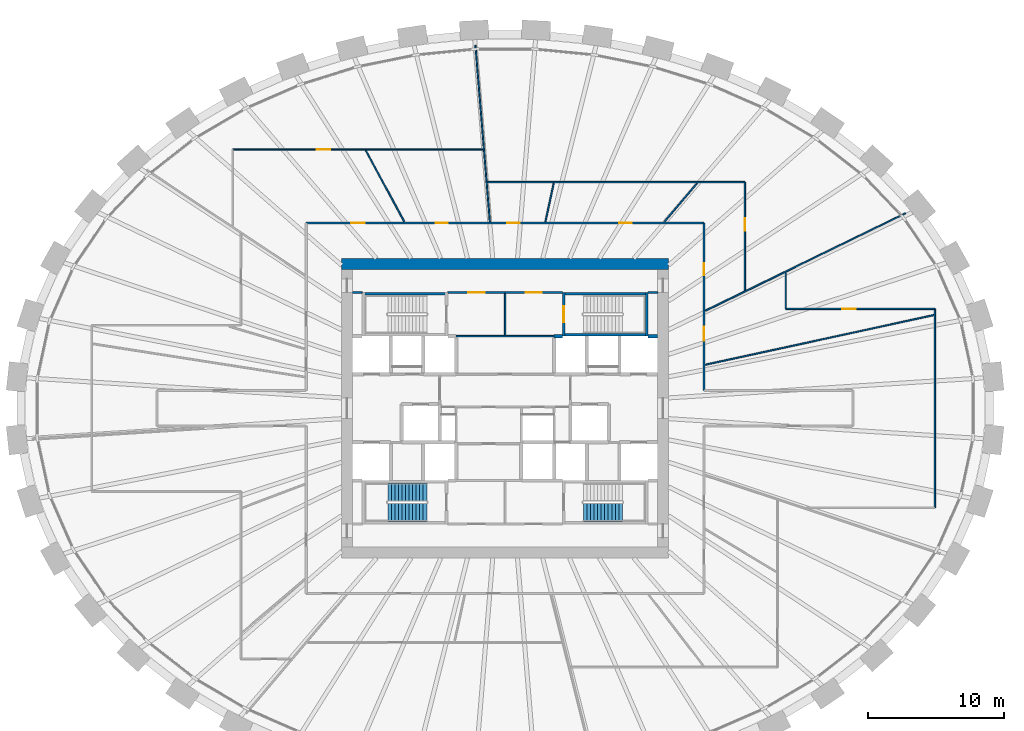
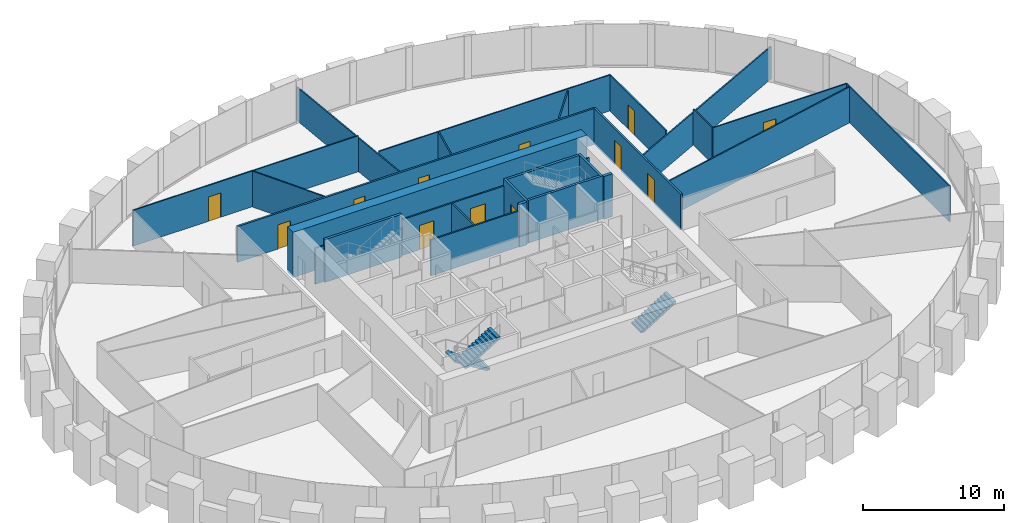
# One storey, part 9 of 11: 27 walls, 12 doors, 3 stair flights, 12 openings, 2 elements without a shape of their own.
"""IFC4 building model written with IfcOpenShell, lengths in metres."""

from ifc_helpers import new_model, si_unit, direction, frame, frame_2d, origin, place, context, subcontext, project, spatial, polyline, rectangle, outline, extrude, source, transform, mapped, material, layer, layer_set, type_object, element, fill, aggregate, save


model = new_model("IFC4")

# Units and contexts
model_context = context("Model", 3, precision=1e-05, world=origin(), true_north=direction((0.0, 1.0)))
body_context = subcontext(model_context, "Body", "Model", "MODEL_VIEW")
ifc_project = project(units=[si_unit("LENGTHUNIT", "METRE"), si_unit("AREAUNIT", "SQUARE_METRE"), si_unit("VOLUMEUNIT", "CUBIC_METRE"), si_unit("PLANEANGLEUNIT", "RADIAN"), si_unit("MASSUNIT", "GRAM", prefix="KILO")], contexts=[model_context])

# Site, building, storey
site_placement = place(None, origin())
site = spatial("IfcSite", under=ifc_project, at=site_placement, CompositionType="ELEMENT")
building_placement = place(site_placement, origin())
building = spatial("IfcBuilding", under=site, at=building_placement, Name="Embergate Tower", CompositionType="ELEMENT")
storey_placement = place(building_placement, frame((0.0, 0.0, 207.300048828125)))
storey = spatial("IfcBuildingStorey", under=building, at=storey_placement, Name="L47", CompositionType="ELEMENT", Elevation=207.300048828125)

# Walls
ifc_material_1 = material(Name="Concrete C70", Category="concrete")
ifc_layer_1 = layer(ifc_material_1, 0.800048828125)
ifc_layer_set_1 = layer_set([ifc_layer_1], Name="Concrete C70")
wall_type_1 = type_object("IfcWallType", Name="Core outer wall C70 800", PredefinedType="SHEAR", material=ifc_layer_set_1)
shared_shape_1 = source(origin(), body_context, "Body", "SweptSolid", [
    extrude(rectangle(XDim=24.0, YDim=0.800048828125, at=frame_2d((12.0, 0.0))), origin(), (0.0, 0.0, 1.0), 3.89990234375),
])
wall_1_placement = place(storey_placement, frame((-12.0, 10.60009765625, -0.199951171875), z_axis=(0.0, 0.0, 1.0), x_axis=(1.0, 0.0, 0.0)))
element("IfcWall", 1, at=wall_1_placement, inside=storey, type_object=wall_type_1, Name="CW-L47-N", PredefinedType="SHEAR", context=body_context, shape_type="MappedRepresentation", body=[
    mapped(shared_shape_1, transform((0.0, 0.0, 0.0))),
])
ifc_material_2 = material(Name="Concrete C50", Category="concrete")
ifc_layer_2 = layer(ifc_material_2, 0.199951171875)
ifc_layer_set_2 = layer_set([ifc_layer_2], Name="Concrete C50")
wall_type_2 = type_object("IfcWallType", Name="Stair enclosure wall reinforced concrete 250", PredefinedType="SHEAR", material=ifc_layer_set_2)
shared_shape_2 = source(origin(), body_context, "Body", "SweptSolid", [
    extrude(rectangle(XDim=6.300048828125, YDim=0.199951171875, at=frame_2d((3.14990234375, 0.0))), origin(), (0.0, 0.0, 1.0), 3.699951171875),
])
for number, where, z_axis, x_axis, name in (
    (2, (10.5, 5.39990234375, 0.0), (0.0, 0.0, 1.0), (-1.0, 0.0, 0.0), "SE-1 wall"),
    (3, (-4.199951171875, 8.39990234375, 0.0), (0.0, 0.0, 1.0), (-1.0, 0.0, 0.0), "SE-1 wall"),
    (4, (10.5, 8.39990234375, 0.0), (0.0, 0.0, 1.0), (-1.0, 0.0, 0.0), "SE-1 wall"),
):
    element("IfcWall", number, at=place(storey_placement, frame(where, z_axis=z_axis, x_axis=x_axis)), inside=storey, type_object=wall_type_2, Name=name, PredefinedType="SHEAR", context=body_context, shape_type="MappedRepresentation", body=[
        mapped(shared_shape_2, transform((0.0, 0.0, 0.0))),
    ])

# Wall, opening, door
shared_shape_3 = source(origin(), body_context, "Body", "SweptSolid", [
    extrude(rectangle(XDim=3.199951171875, YDim=0.199951171875, at=frame_2d((1.60009765625, 0.0))), origin(), (0.0, 0.0, 1.0), 3.699951171875),
])
wall_2_placement = place(storey_placement, frame((4.300048828125, 8.5, 0.0), z_axis=(0.0, 0.0, 1.0), x_axis=(0.0, -1.0, 0.0)))
wall_2 = element("IfcWall", 5, at=wall_2_placement, inside=storey, type_object=wall_type_2, Name="SE-1 wall", PredefinedType="SHEAR", context=body_context, shape_type="MappedRepresentation", body=[
    mapped(shared_shape_3, transform((0.0, 0.0, 0.0))),
])
shared_shape_4 = source(origin(), body_context, "Body", "SweptSolid", [
    extrude(rectangle(XDim=1.199951171875, YDim=2.10009765625, at=frame_2d((0.60009765625, 1.050048828125))), frame((0.0, 0.10986328125, 0.0), z_axis=(0.0, -1.0, 0.0), x_axis=(1.0, 0.0, 0.0)), (0.0, 0.0, 1.0), 0.219970703125),
])
opening_1_placement = place(wall_2_placement, frame((1.0, 0.0, 0.0)))
opening_1 = element("IfcOpeningElement", 6, at=opening_1_placement, cuts=wall_2, Name="Opening IF-2", PredefinedType="OPENING", context=body_context, shape_type="MappedRepresentation", body=[
    mapped(shared_shape_4, transform((0.0, 0.0, 0.0))),
])
ifc_material_3 = material(Name="Stair enclosure door 1200")
door_type_1 = type_object("IfcDoorType", Name="Stair enclosure door 1200", OperationType="SINGLE_SWING_LEFT", PredefinedType="DOOR", material=ifc_material_3)
shared_shape_5 = source(origin(), body_context, "Body", "SweptSolid", [
    extrude(rectangle(XDim=1.199951171875, YDim=2.10009765625, at=frame_2d((0.60009765625, 1.050048828125))), frame((0.0, 0.02490234375, 0.0), z_axis=(0.0, -1.0, 0.0), x_axis=(1.0, 0.0, 0.0)), (0.0, 0.0, 1.0), 0.050048828125),
])
door_1_placement = place(opening_1_placement, origin())
door_1 = element("IfcDoor", 7, at=door_1_placement, inside=storey, type_object=door_type_1, Name="IF-2 door", OperationType="SINGLE_SWING_LEFT", OverallHeight=2.10009765625, OverallWidth=1.199951171875, PredefinedType="DOOR", context=body_context, shape_type="MappedRepresentation", body=[
    mapped(shared_shape_5, transform((0.0, 0.0, 0.0))),
])
fill(opening_1, door_1)

# Wall, openings, doors
ifc_material_4 = material(Name="Core partition blockwork 120")
ifc_layer_3 = layer(ifc_material_4, 0.1201171875)
ifc_layer_set_3 = layer_set([ifc_layer_3], Name="Core partition blockwork 120")
wall_type_3 = type_object("IfcWallType", Name="Core partition blockwork 120", PredefinedType="PARTITIONING", material=ifc_layer_set_3)
shared_shape_6 = source(origin(), body_context, "Body", "SweptSolid", [
    extrude(rectangle(XDim=8.39990234375, YDim=0.1201171875, at=frame_2d((4.199951171875, 0.0))), origin(), (0.0, 0.0, 1.0), 3.099853515625),
])
wall_3_placement = place(storey_placement, frame((4.199951171875, 8.5, 0.0), z_axis=(0.0, 0.0, 1.0), x_axis=(-1.0, 0.0, 0.0)))
wall_3 = element("IfcWall", 8, at=wall_3_placement, inside=storey, type_object=wall_type_3, Name="IP-3 wall", PredefinedType="PARTITIONING", context=body_context, shape_type="MappedRepresentation", body=[
    mapped(shared_shape_6, transform((0.0, 0.0, 0.0))),
])
shared_shape_7 = source(origin(), body_context, "Body", "SweptSolid", [
    extrude(rectangle(XDim=1.199951171875, YDim=2.10009765625, at=frame_2d((0.60009765625, 1.050048828125))), frame((0.0, 0.070068359375, 0.0), z_axis=(0.0, -1.0, 0.0), x_axis=(1.0, 0.0, 0.0)), (0.0, 0.0, 1.0), 0.14013671875),
])
opening_2_placement = place(wall_3_placement, frame((5.699951171875, 0.0, 0.0)))
opening_2 = element("IfcOpeningElement", 9, at=opening_2_placement, cuts=wall_3, Name="Opening IF-3f", PredefinedType="OPENING", context=body_context, shape_type="MappedRepresentation", body=[
    mapped(shared_shape_7, transform((0.0, 0.0, 0.0))),
])
opening_3_placement = place(wall_3_placement, frame((1.5, 0.0, 0.0)))
opening_3 = element("IfcOpeningElement", 10, at=opening_3_placement, cuts=wall_3, Name="Opening IF-3f", PredefinedType="OPENING", context=body_context, shape_type="MappedRepresentation", body=[
    mapped(shared_shape_7, transform((0.0, 0.0, 0.0))),
])
ifc_material_5 = material(Name="Lobby fire door pair 1200")
door_type_2 = type_object("IfcDoorType", Name="Lobby fire door pair 1200", OperationType="DOUBLE_DOOR_SINGLE_SWING", PredefinedType="DOOR", material=ifc_material_5)
door_2_placement = place(opening_2_placement, origin())
door_2 = element("IfcDoor", 11, at=door_2_placement, inside=storey, type_object=door_type_2, Name="IF-3 door", OperationType="DOUBLE_DOOR_SINGLE_SWING", OverallHeight=2.10009765625, OverallWidth=1.199951171875, PredefinedType="DOOR", context=body_context, shape_type="MappedRepresentation", body=[
    mapped(shared_shape_5, transform((0.0, 0.0, 0.0))),
])
fill(opening_2, door_2)
door_3_placement = place(opening_3_placement, origin())
door_3 = element("IfcDoor", 12, at=door_3_placement, inside=storey, type_object=door_type_2, Name="IF-3 door", OperationType="DOUBLE_DOOR_SINGLE_SWING", OverallHeight=2.10009765625, OverallWidth=1.199951171875, PredefinedType="DOOR", context=body_context, shape_type="MappedRepresentation", body=[
    mapped(shared_shape_5, transform((0.0, 0.0, 0.0))),
])
fill(opening_3, door_3)

# Walls
ifc_layer_4 = layer(ifc_material_2, 0.25)
ifc_layer_set_4 = layer_set([ifc_layer_4], Name="Concrete C50")
wall_type_4 = type_object("IfcWallType", Name="Hoistway wall reinforced concrete 250", PredefinedType="SHEAR", material=ifc_layer_set_4)
shared_shape_8 = source(origin(), body_context, "Body", "SweptSolid", [
    extrude(rectangle(XDim=0.599853515625, YDim=0.25, at=frame_2d((0.2998046875, 0.0))), origin(), (0.0, 0.0, 1.0), 3.699951171875),
])
wall_4_placement = place(storey_placement, frame((4.199951171875, 5.300048828125, 0.0), z_axis=(0.0, 0.0, 1.0), x_axis=(-1.0, 0.0, 0.0)))
element("IfcWall", 13, at=wall_4_placement, inside=storey, type_object=wall_type_4, Name="HW-1 wall", PredefinedType="SHEAR", context=body_context, shape_type="MappedRepresentation", body=[
    mapped(shared_shape_8, transform((0.0, 0.0, 0.0))),
])
shared_shape_9 = source(origin(), body_context, "Body", "SweptSolid", [
    extrude(rectangle(XDim=3.196044921875, YDim=0.199951171875, at=frame_2d((1.59814453125, 0.0))), origin(), (0.0, 0.0, 1.0), 3.699951171875),
])
wall_5_placement = place(storey_placement, frame((10.39990234375, 5.302001953125, 0.0), z_axis=(0.0, 0.0, 1.0), x_axis=(0.0, 1.0, 0.0)))
element("IfcWall", 14, at=wall_5_placement, inside=storey, type_object=wall_type_2, Name="SE-1 wall", PredefinedType="SHEAR", context=body_context, shape_type="MappedRepresentation", body=[
    mapped(shared_shape_9, transform((0.0, 0.0, 0.0))),
])
shared_shape_10 = source(origin(), body_context, "Body", "SweptSolid", [
    extrude(rectangle(XDim=0.697998046875, YDim=0.25, at=frame_2d((0.34912109375, 0.0))), origin(), (0.0, 0.0, 1.0), 3.699951171875),
])
wall_6_placement = place(storey_placement, frame((11.199951171875, 5.300048828125, 0.0), z_axis=(0.0, 0.0, 1.0), x_axis=(-1.0, 0.0, 0.0)))
element("IfcWall", 15, at=wall_6_placement, inside=storey, type_object=wall_type_4, Name="HW-1 wall", PredefinedType="SHEAR", context=body_context, shape_type="MappedRepresentation", body=[
    mapped(shared_shape_10, transform((0.0, 0.0, 0.0))),
])
shared_shape_11 = source(origin(), body_context, "Body", "SweptSolid", [
    extrude(rectangle(XDim=7.2001953125, YDim=0.1201171875, at=frame_2d((3.60009765625, 0.0))), origin(), (0.0, 0.0, 1.0), 3.099853515625),
])
wall_7_placement = place(storey_placement, frame((-3.60009765625, 5.300048828125, 0.0), z_axis=(0.0, 0.0, 1.0), x_axis=(1.0, 0.0, 0.0)))
element("IfcWall", 16, at=wall_7_placement, inside=storey, type_object=wall_type_3, Name="IP-3 wall", PredefinedType="PARTITIONING", context=body_context, shape_type="MappedRepresentation", body=[
    mapped(shared_shape_11, transform((0.0, 0.0, 0.0))),
])
shared_shape_12 = source(origin(), body_context, "Body", "SweptSolid", [
    extrude(rectangle(XDim=3.079833984375, YDim=0.1201171875, at=frame_2d((1.5400390625, 0.0))), origin(), (0.0, 0.0, 1.0), 3.099853515625),
])
wall_8_placement = place(storey_placement, frame((0.0, 5.360107421875, 0.0), z_axis=(0.0, 0.0, 1.0), x_axis=(0.0, 1.0, 0.0)))
element("IfcWall", 17, at=wall_8_placement, inside=storey, type_object=wall_type_3, Name="IP-3 wall", PredefinedType="PARTITIONING", context=body_context, shape_type="MappedRepresentation", body=[
    mapped(shared_shape_12, transform((0.0, 0.0, 0.0))),
])
shared_shape_13 = source(origin(), body_context, "Body", "SweptSolid", [
    extrude(rectangle(XDim=0.697998046875, YDim=0.1201171875, at=frame_2d((0.34912109375, 0.0))), origin(), (0.0, 0.0, 1.0), 3.099853515625),
])
for number, where, z_axis, x_axis, name in (
    (18, (10.501953125, 8.5, 0.0), (0.0, 0.0, 1.0), (1.0, 0.0, 0.0), "IP-3 wall"),
    (19, (-11.199951171875, 8.5, 0.0), (0.0, 0.0, 1.0), (1.0, 0.0, 0.0), "IP-3 wall"),
):
    element("IfcWall", number, at=place(storey_placement, frame(where, z_axis=z_axis, x_axis=x_axis)), inside=storey, type_object=wall_type_3, Name=name, PredefinedType="PARTITIONING", context=body_context, shape_type="MappedRepresentation", body=[
        mapped(shared_shape_13, transform((0.0, 0.0, 0.0))),
    ])

# Wall, opening, door
ifc_material_6 = material(Name="Partition dry-lined 100")
ifc_layer_5 = layer(ifc_material_6, 0.10009765625)
ifc_layer_set_5 = layer_set([ifc_layer_5], Name="Partition dry-lined 100")
wall_type_5 = type_object("IfcWallType", Name="Partition dry-lined 100", PredefinedType="PARTITIONING", material=ifc_layer_set_5)
shared_shape_14 = source(origin(), body_context, "Body", "SweptSolid", [
    extrude(rectangle(XDim=10.949951171875, YDim=0.10009765625, at=frame_2d((5.47509765625, 0.0))), origin(), (0.0, 0.0, 1.0), 3.099853515625),
])
wall_9_placement = place(storey_placement, frame((20.60009765625, 7.300048828125, 0.0), z_axis=(0.0, 0.0, 1.0), x_axis=(1.0, 0.0, 0.0)))
wall_9 = element("IfcWall", 20, at=wall_9_placement, inside=storey, type_object=wall_type_5, Name="IP-1 wall", PredefinedType="PARTITIONING", context=body_context, shape_type="MappedRepresentation", body=[
    mapped(shared_shape_14, transform((0.0, 0.0, 0.0))),
])
shared_shape_15 = source(origin(), body_context, "Body", "SweptSolid", [
    extrude(rectangle(XDim=1.0, YDim=2.10009765625, at=frame_2d((0.5, 1.050048828125))), frame((0.0, 0.06005859375, 0.0), z_axis=(0.0, -1.0, 0.0), x_axis=(1.0, 0.0, 0.0)), (0.0, 0.0, 1.0), 0.1201171875),
])
opening_4_placement = place(wall_9_placement, frame((4.133056640625, 0.0, 0.0)))
opening_4 = element("IfcOpeningElement", 21, at=opening_4_placement, cuts=wall_9, Name="Opening ID-2", PredefinedType="OPENING", context=body_context, shape_type="MappedRepresentation", body=[
    mapped(shared_shape_15, transform((0.0, 0.0, 0.0))),
])
ifc_material_7 = material(Name="Interior door 1000")
door_type_3 = type_object("IfcDoorType", Name="Interior door 1000", OperationType="SINGLE_SWING_LEFT", PredefinedType="DOOR", material=ifc_material_7)
shared_shape_16 = source(origin(), body_context, "Body", "SweptSolid", [
    extrude(rectangle(XDim=1.0, YDim=2.10009765625, at=frame_2d((0.5, 1.050048828125))), frame((0.0, 0.02490234375, 0.0), z_axis=(0.0, -1.0, 0.0), x_axis=(1.0, 0.0, 0.0)), (0.0, 0.0, 1.0), 0.050048828125),
])
door_4_placement = place(opening_4_placement, origin())
door_4 = element("IfcDoor", 22, at=door_4_placement, inside=storey, type_object=door_type_3, Name="ID-2 door", OperationType="SINGLE_SWING_RIGHT", OverallHeight=2.10009765625, OverallWidth=1.0, PredefinedType="DOOR", context=body_context, shape_type="MappedRepresentation", body=[
    mapped(shared_shape_16, transform((0.0, 0.0, 0.0))),
])
fill(opening_4, door_4)

# Walls
ifc_material_8 = material(Name="Partition dry-lined 100 wet")
ifc_layer_6 = layer(ifc_material_8, 0.10009765625)
ifc_layer_set_6 = layer_set([ifc_layer_6], Name="Partition dry-lined 100 wet")
wall_type_6 = type_object("IfcWallType", Name="Partition dry-lined 100 wet", PredefinedType="PLUMBINGWALL", material=ifc_layer_set_6)
shared_shape_17 = source(origin(), body_context, "Body", "SweptSolid", [
    extrude(rectangle(XDim=16.35498046875, YDim=0.10009765625, at=frame_2d((8.177490234375, 0.0))), origin(), (0.0, 0.0, 1.0), 2.800048828125),
])
wall_10_placement = place(storey_placement, frame((29.40087890625, 14.318115234375, 0.0), z_axis=(0.0, 0.0, 1.0), x_axis=(-0.899044868623, -0.437856510974, 0.0)))
element("IfcWall", 23, at=wall_10_placement, inside=storey, type_object=wall_type_6, Name="IP-1 wall", PredefinedType="PLUMBINGWALL", context=body_context, shape_type="MappedRepresentation", body=[
    mapped(shared_shape_17, transform((0.0, 0.0, 0.0))),
])
shared_shape_18 = source(origin(), body_context, "Body", "SweptSolid", [
    extrude(rectangle(XDim=13.025146484375, YDim=0.10009765625, at=frame_2d((6.5126953125, 0.0))), origin(), (0.0, 0.0, 1.0), 2.89990234375),
])
wall_11_placement = place(storey_placement, frame((-1.117919921875, 13.675048828125, 0.0), z_axis=(0.0, 0.0, 1.0), x_axis=(-0.081460046977, 0.996676607906, 0.0)))
element("IfcWall", 24, at=wall_11_placement, inside=storey, type_object=wall_type_6, Name="IP-1 wall", PredefinedType="PLUMBINGWALL", context=body_context, shape_type="MappedRepresentation", body=[
    mapped(shared_shape_18, transform((0.0, 0.0, 0.0))),
])

# Wall, openings, doors
ifc_material_9 = material(Name="Corridor wall dry-lined 150")
ifc_layer_7 = layer(ifc_material_9, 0.14990234375)
ifc_layer_set_7 = layer_set([ifc_layer_7], Name="Corridor wall dry-lined 150")
wall_type_7 = type_object("IfcWallType", Name="Corridor wall dry-lined 150", PredefinedType="PARTITIONING", material=ifc_layer_set_7)
shared_shape_19 = source(origin(), body_context, "Body", "SweptSolid", [
    extrude(rectangle(XDim=12.300048828125, YDim=0.14990234375, at=frame_2d((6.14990234375, 0.0))), origin(), (0.0, 0.0, 1.0), 3.099853515625),
])
wall_12_placement = place(storey_placement, frame((14.60009765625, 13.60009765625, 0.0), z_axis=(0.0, 0.0, 1.0), x_axis=(0.0, -1.0, 0.0)))
wall_12 = element("IfcWall", 25, at=wall_12_placement, inside=storey, type_object=wall_type_7, Name="IP-2 wall", PredefinedType="PARTITIONING", context=body_context, shape_type="MappedRepresentation", body=[
    mapped(shared_shape_19, transform((0.0, 0.0, 0.0))),
])
shared_shape_20 = source(origin(), body_context, "Body", "SweptSolid", [
    extrude(rectangle(XDim=1.0, YDim=2.10009765625, at=frame_2d((0.5, 1.050048828125))), frame((0.0, 0.0849609375, 0.0), z_axis=(0.0, -1.0, 0.0), x_axis=(1.0, 0.0, 0.0)), (0.0, 0.0, 1.0), 0.169921875),
])
opening_5_placement = place(wall_12_placement, frame((7.631103515625, 0.0, 0.0)))
opening_5 = element("IfcOpeningElement", 26, at=opening_5_placement, cuts=wall_12, Name="Opening ID-2", PredefinedType="OPENING", context=body_context, shape_type="MappedRepresentation", body=[
    mapped(shared_shape_20, transform((0.0, 0.0, 0.0))),
])
shared_shape_21 = source(origin(), body_context, "Body", "SweptSolid", [
    extrude(rectangle(XDim=0.89990234375, YDim=2.10009765625, at=frame_2d((0.449951171875, 1.050048828125))), frame((0.0, 0.0849609375, 0.0), z_axis=(0.0, -1.0, 0.0), x_axis=(1.0, 0.0, 0.0)), (0.0, 0.0, 1.0), 0.169921875),
])
opening_6_placement = place(wall_12_placement, frame((2.945068359375, 0.0, 0.0)))
opening_6 = element("IfcOpeningElement", 27, at=opening_6_placement, cuts=wall_12, Name="Opening IF-1c", PredefinedType="OPENING", context=body_context, shape_type="MappedRepresentation", body=[
    mapped(shared_shape_21, transform((0.0, 0.0, 0.0))),
])
ifc_material_10 = material(Name="Escape fire door 900")
door_type_4 = type_object("IfcDoorType", Name="Escape fire door 900", OperationType="SINGLE_SWING_LEFT", PredefinedType="DOOR", material=ifc_material_10)
shared_shape_22 = source(origin(), body_context, "Body", "SweptSolid", [
    extrude(rectangle(XDim=0.89990234375, YDim=2.10009765625, at=frame_2d((0.449951171875, 1.050048828125))), frame((0.0, 0.02490234375, 0.0), z_axis=(0.0, -1.0, 0.0), x_axis=(1.0, 0.0, 0.0)), (0.0, 0.0, 1.0), 0.050048828125),
])
door_5_placement = place(opening_6_placement, origin())
door_5 = element("IfcDoor", 28, at=door_5_placement, inside=storey, type_object=door_type_4, Name="IF-1 door", OperationType="SINGLE_SWING_LEFT", OverallHeight=2.10009765625, OverallWidth=0.89990234375, PredefinedType="DOOR", context=body_context, shape_type="MappedRepresentation", body=[
    mapped(shared_shape_22, transform((0.0, 0.0, 0.0))),
])
fill(opening_6, door_5)
door_6_placement = place(opening_5_placement, origin())
door_6 = element("IfcDoor", 29, at=door_6_placement, inside=storey, type_object=door_type_3, Name="ID-2 door", OperationType="SINGLE_SWING_RIGHT", OverallHeight=2.10009765625, OverallWidth=1.0, PredefinedType="DOOR", context=body_context, shape_type="MappedRepresentation", body=[
    mapped(shared_shape_16, transform((0.0, 0.0, 0.0))),
])
fill(opening_5, door_6)

ifc_material_11 = material(Name="Corridor wall dry-lined 150 wet")
ifc_layer_8 = layer(ifc_material_11, 0.14990234375)
ifc_layer_set_8 = layer_set([ifc_layer_8], Name="Corridor wall dry-lined 150 wet")
wall_type_8 = type_object("IfcWallType", Name="Corridor wall dry-lined 150 wet", PredefinedType="PLUMBINGWALL", material=ifc_layer_set_8)
shared_shape_23 = source(origin(), body_context, "Body", "SweptSolid", [
    extrude(rectangle(XDim=29.2001953125, YDim=0.14990234375, at=frame_2d((14.60009765625, 0.0))), origin(), (0.0, 0.0, 1.0), 3.099853515625),
])
wall_13_placement = place(storey_placement, frame((-14.60009765625, 13.60009765625, 0.0), z_axis=(0.0, 0.0, 1.0), x_axis=(1.0, 0.0, 0.0)))
wall_13 = element("IfcWall", 30, at=wall_13_placement, inside=storey, type_object=wall_type_8, Name="IP-2 wall", PredefinedType="PLUMBINGWALL", context=body_context, shape_type="MappedRepresentation", body=[
    mapped(shared_shape_23, transform((0.0, 0.0, 0.0))),
])
opening_7_placement = place(wall_13_placement, frame((22.99609375, 0.0, 0.0)))
opening_7 = element("IfcOpeningElement", 31, at=opening_7_placement, cuts=wall_13, Name="Opening IF-1c", PredefinedType="OPENING", context=body_context, shape_type="MappedRepresentation", body=[
    mapped(shared_shape_21, transform((0.0, 0.0, 0.0))),
])
opening_8_placement = place(wall_13_placement, frame((14.757080078125, 0.0, 0.0)))
opening_8 = element("IfcOpeningElement", 32, at=opening_8_placement, cuts=wall_13, Name="Opening IF-1c", PredefinedType="OPENING", context=body_context, shape_type="MappedRepresentation", body=[
    mapped(shared_shape_21, transform((0.0, 0.0, 0.0))),
])
opening_9_placement = place(wall_13_placement, frame((9.493896484375, 0.0, 0.0)))
opening_9 = element("IfcOpeningElement", 33, at=opening_9_placement, cuts=wall_13, Name="Opening IF-1c", PredefinedType="OPENING", context=body_context, shape_type="MappedRepresentation", body=[
    mapped(shared_shape_21, transform((0.0, 0.0, 0.0))),
])
opening_10_placement = place(wall_13_placement, frame((3.2958984375, 0.0, 0.0)))
opening_10 = element("IfcOpeningElement", 34, at=opening_10_placement, cuts=wall_13, Name="Opening ID-2", PredefinedType="OPENING", context=body_context, shape_type="MappedRepresentation", body=[
    mapped(shared_shape_20, transform((0.0, 0.0, 0.0))),
])
door_7_placement = place(opening_7_placement, origin())
door_7 = element("IfcDoor", 35, at=door_7_placement, inside=storey, type_object=door_type_4, Name="IF-1 door", OperationType="SINGLE_SWING_LEFT", OverallHeight=2.10009765625, OverallWidth=0.89990234375, PredefinedType="DOOR", context=body_context, shape_type="MappedRepresentation", body=[
    mapped(shared_shape_22, transform((0.0, 0.0, 0.0))),
])
fill(opening_7, door_7)
door_8_placement = place(opening_8_placement, origin())
door_8 = element("IfcDoor", 36, at=door_8_placement, inside=storey, type_object=door_type_4, Name="IF-1 door", OperationType="SINGLE_SWING_RIGHT", OverallHeight=2.10009765625, OverallWidth=0.89990234375, PredefinedType="DOOR", context=body_context, shape_type="MappedRepresentation", body=[
    mapped(shared_shape_22, transform((0.0, 0.0, 0.0))),
])
fill(opening_8, door_8)
door_9_placement = place(opening_9_placement, origin())
door_9 = element("IfcDoor", 37, at=door_9_placement, inside=storey, type_object=door_type_4, Name="IF-1 door", OperationType="SINGLE_SWING_RIGHT", OverallHeight=2.10009765625, OverallWidth=0.89990234375, PredefinedType="DOOR", context=body_context, shape_type="MappedRepresentation", body=[
    mapped(shared_shape_22, transform((0.0, 0.0, 0.0))),
])
fill(opening_9, door_9)
door_10_placement = place(opening_10_placement, origin())
door_10 = element("IfcDoor", 38, at=door_10_placement, inside=storey, type_object=door_type_3, Name="ID-2 door", OperationType="SINGLE_SWING_RIGHT", OverallHeight=2.10009765625, OverallWidth=1.0, PredefinedType="DOOR", context=body_context, shape_type="MappedRepresentation", body=[
    mapped(shared_shape_16, transform((0.0, 0.0, 0.0))),
])
fill(opening_10, door_10)

# Walls
shared_shape_24 = source(origin(), body_context, "Body", "SweptSolid", [
    extrude(rectangle(XDim=17.195556640625, YDim=0.10009765625, at=frame_2d((8.59765625, 0.0))), origin(), (0.0, 0.0, 1.0), 3.099853515625),
])
wall_14_placement = place(storey_placement, frame((31.489013671875, 6.844970703125, 0.0), z_axis=(0.0, 0.0, 1.0), x_axis=(-0.977173288454, -0.212443790994, 0.0)))
element("IfcWall", 39, at=wall_14_placement, inside=storey, type_object=wall_type_5, Name="IP-1 wall", PredefinedType="PARTITIONING", context=body_context, shape_type="MappedRepresentation", body=[
    mapped(shared_shape_24, transform((0.0, 0.0, 0.0))),
])
shared_shape_25 = source(origin(), body_context, "Body", "SweptSolid", [
    extrude(rectangle(XDim=14.60009765625, YDim=0.10009765625, at=frame_2d((7.300048828125, 0.0))), origin(), (0.0, 0.0, 1.0), 3.099853515625),
])
wall_15_placement = place(storey_placement, frame((31.550048828125, 7.300048828125, 0.0), z_axis=(0.0, 0.0, 1.0), x_axis=(0.0, -1.0, 0.0)))
element("IfcWall", 40, at=wall_15_placement, inside=storey, type_object=wall_type_5, Name="IP-1 wall", PredefinedType="PARTITIONING", context=body_context, shape_type="MappedRepresentation", body=[
    mapped(shared_shape_25, transform((0.0, 0.0, 0.0))),
])
shared_shape_26 = source(origin(), body_context, "Body", "SweptSolid", [
    extrude(rectangle(XDim=2.65185546875, YDim=0.10009765625, at=frame_2d((1.325927734375, 0.0))), origin(), (0.0, 0.0, 1.0), 3.099853515625),
])
wall_16_placement = place(storey_placement, frame((20.60009765625, 9.951904296875, 0.0), z_axis=(0.0, 0.0, 1.0), x_axis=(0.0, -1.0, 0.0)))
element("IfcWall", 41, at=wall_16_placement, inside=storey, type_object=wall_type_5, Name="IP-1 wall", PredefinedType="PARTITIONING", context=body_context, shape_type="MappedRepresentation", body=[
    mapped(shared_shape_26, transform((0.0, 0.0, 0.0))),
])
shared_shape_27 = source(origin(), body_context, "Body", "SweptSolid", [
    extrude(rectangle(XDim=3.693603515625, YDim=0.10009765625, at=frame_2d((1.8466796875, 0.0))), origin(), (0.0, 0.0, 1.0), 3.0),
])
wall_17_placement = place(storey_placement, frame((11.694091796875, 13.70703125, 0.0), z_axis=(0.0, 0.0, 1.0), x_axis=(0.648971364337, 0.760812833929, 0.0)))
element("IfcWall", 42, at=wall_17_placement, inside=storey, type_object=wall_type_6, Name="IP-1 wall", PredefinedType="PLUMBINGWALL", context=body_context, shape_type="MappedRepresentation", body=[
    mapped(shared_shape_27, transform((0.0, 0.0, 0.0))),
])

# Wall, opening, door
shared_shape_28 = source(origin(), body_context, "Body", "SweptSolid", [
    extrude(rectangle(XDim=7.94921875, YDim=0.10009765625, at=frame_2d((3.974609375, 0.0))), origin(), (0.0, 0.0, 1.0), 3.099853515625),
])
wall_18_placement = place(storey_placement, frame((17.60009765625, 8.65087890625, 0.0), z_axis=(0.0, 0.0, 1.0), x_axis=(0.0, 1.0, 0.0)))
wall_18 = element("IfcWall", 43, at=wall_18_placement, inside=storey, type_object=wall_type_6, Name="IP-1 wall", PredefinedType="PLUMBINGWALL", context=body_context, shape_type="MappedRepresentation", body=[
    mapped(shared_shape_28, transform((0.0, 0.0, 0.0))),
])
shared_shape_29 = source(origin(), body_context, "Body", "SweptSolid", [
    extrude(rectangle(XDim=0.89990234375, YDim=2.10009765625, at=frame_2d((0.449951171875, 1.050048828125))), frame((0.0, 0.06005859375, 0.0), z_axis=(0.0, -1.0, 0.0), x_axis=(1.0, 0.0, 0.0)), (0.0, 0.0, 1.0), 0.1201171875),
])
opening_11_placement = place(wall_18_placement, frame((4.398681640625, 0.0, 0.0)))
opening_11 = element("IfcOpeningElement", 44, at=opening_11_placement, cuts=wall_18, Name="Opening ID-1", PredefinedType="OPENING", context=body_context, shape_type="MappedRepresentation", body=[
    mapped(shared_shape_29, transform((0.0, 0.0, 0.0))),
])
ifc_material_12 = material(Name="Interior door 900")
door_type_5 = type_object("IfcDoorType", Name="Interior door 900", OperationType="SINGLE_SWING_LEFT", PredefinedType="DOOR", material=ifc_material_12)
door_11_placement = place(opening_11_placement, origin())
door_11 = element("IfcDoor", 45, at=door_11_placement, inside=storey, type_object=door_type_5, Name="ID-1 door", OperationType="SINGLE_SWING_RIGHT", OverallHeight=2.10009765625, OverallWidth=0.89990234375, PredefinedType="DOOR", context=body_context, shape_type="MappedRepresentation", body=[
    mapped(shared_shape_22, transform((0.0, 0.0, 0.0))),
])
fill(opening_11, door_11)

# Walls
shared_shape_30 = source(origin(), body_context, "Body", "SweptSolid", [
    extrude(rectangle(XDim=18.906982421875, YDim=0.10009765625, at=frame_2d((9.45361328125, 0.0))), origin(), (0.0, 0.0, 1.0), 3.099853515625),
])
wall_19_placement = place(storey_placement, frame((17.60009765625, 16.60009765625, 0.0), z_axis=(0.0, 0.0, 1.0), x_axis=(-1.0, 0.0, 0.0)))
element("IfcWall", 46, at=wall_19_placement, inside=storey, type_object=wall_type_6, Name="IP-1 wall", PredefinedType="PLUMBINGWALL", context=body_context, shape_type="MappedRepresentation", body=[
    mapped(shared_shape_30, transform((0.0, 0.0, 0.0))),
])
shared_shape_31 = source(origin(), body_context, "Body", "SweptSolid", [
    extrude(rectangle(XDim=2.9189453125, YDim=0.10009765625, at=frame_2d((1.45947265625, 0.0))), origin(), (0.0, 0.0, 1.0), 3.099853515625),
])
wall_20_placement = place(storey_placement, frame((2.955078125, 13.68603515625, 0.0), z_axis=(0.0, 0.0, 1.0), x_axis=(0.211356547665, 0.977409028892, 0.0)))
element("IfcWall", 47, at=wall_20_placement, inside=storey, type_object=wall_type_6, Name="IP-1 wall", PredefinedType="PLUMBINGWALL", context=body_context, shape_type="MappedRepresentation", body=[
    mapped(shared_shape_31, transform((0.0, 0.0, 0.0))),
])
shared_shape_32 = source(origin(), body_context, "Body", "SweptSolid", [
    extrude(rectangle(XDim=5.941650390625, YDim=0.10009765625, at=frame_2d((2.970703125, 0.0))), origin(), (0.0, 0.0, 1.0), 3.099853515625),
])
wall_21_placement = place(storey_placement, frame((-7.40087890625, 13.698974609375, 0.0), z_axis=(0.0, 0.0, 1.0), x_axis=(-0.475486095106, 0.879723236797, 0.0)))
element("IfcWall", 48, at=wall_21_placement, inside=storey, type_object=wall_type_5, Name="IP-1 wall", PredefinedType="PARTITIONING", context=body_context, shape_type="MappedRepresentation", body=[
    mapped(shared_shape_32, transform((0.0, 0.0, 0.0))),
])

# Wall, opening, door
shared_shape_33 = source(origin(), body_context, "Body", "SweptSolid", [
    extrude(rectangle(XDim=18.39697265625, YDim=0.10009765625, at=frame_2d((9.198486328125, 0.0))), origin(), (0.0, 0.0, 1.0), 3.099853515625),
])
wall_22_placement = place(storey_placement, frame((-20.0, 19.0, 0.0), z_axis=(0.0, 0.0, 1.0), x_axis=(1.0, 0.0, 0.0)))
wall_22 = element("IfcWall", 49, at=wall_22_placement, inside=storey, type_object=wall_type_5, Name="IP-1 wall", PredefinedType="PARTITIONING", context=body_context, shape_type="MappedRepresentation", body=[
    mapped(shared_shape_33, transform((0.0, 0.0, 0.0))),
])
opening_12_placement = place(wall_22_placement, frame((6.156982421875, 0.0, 0.0)))
opening_12 = element("IfcOpeningElement", 50, at=opening_12_placement, cuts=wall_22, Name="Opening ID-2", PredefinedType="OPENING", context=body_context, shape_type="MappedRepresentation", body=[
    mapped(shared_shape_15, transform((0.0, 0.0, 0.0))),
])
door_12_placement = place(opening_12_placement, origin())
door_12 = element("IfcDoor", 51, at=door_12_placement, inside=storey, type_object=door_type_3, Name="ID-2 door", OperationType="SINGLE_SWING_LEFT", OverallHeight=2.10009765625, OverallWidth=1.0, PredefinedType="DOOR", context=body_context, shape_type="MappedRepresentation", body=[
    mapped(shared_shape_16, transform((0.0, 0.0, 0.0))),
])
fill(opening_12, door_12)

# Stair, stair flights
ifc_material_13 = material(Name="Exit stair")
stair_type = type_object("IfcStairType", Name="Exit stair", PredefinedType="HALF_TURN_STAIR", material=ifc_material_13)
stair_1_placement = place(storey_placement, origin())
stair_1 = element("IfcStair", 52, at=stair_1_placement, inside=storey, type_object=stair_type, Name="L47 Exit stair 3", PredefinedType="HALF_TURN_STAIR")
ifc_material_14 = material(Name="Concrete C40", Category="concrete")
stair_flight_type = type_object("IfcStairFlightType", Name="Stair flight reinforced concrete", PredefinedType="STRAIGHT", material=ifc_material_14)
shared_shape_34 = source(origin(), body_context, "Body", "SweptSolid", [
    extrude(outline(polyline([(0.0, 0.0), (0.0, 0.16259765625), (0.260009765625, 0.16259765625), (0.260009765625, 0.324951171875), (0.52001953125, 0.324951171875), (0.52001953125, 0.487548828125), (0.780029296875, 0.487548828125), (0.780029296875, 0.64990234375), (1.0400390625, 0.64990234375), (1.0400390625, 0.8125), (1.300048828125, 0.8125), (1.300048828125, 0.97509765625), (1.56005859375, 0.97509765625), (1.56005859375, 1.137451171875), (1.820068359375, 1.137451171875), (1.820068359375, 1.300048828125), (2.080078125, 1.300048828125), (2.080078125, 1.46240234375), (2.340087890625, 1.46240234375), (2.340087890625, 1.625), (2.60009765625, 1.625), (2.60009765625, 1.78759765625), (2.860107421875, 1.78759765625), (2.860107421875, 1.949951171875), (2.860107421875, 1.61083984375), (0.28271484375, 0.0), (0.0, 0.0)])), frame((0.0, 0.675048828125, 0.0), z_axis=(0.0, -1.0, 0.0), x_axis=(1.0, 0.0, 0.0)), (0.0, 0.0, 1.0), 1.35009765625),
])
stair_flight_1_placement = place(storey_placement, frame((-5.75, -6.175048828125, 0.0), z_axis=(0.0, 0.0, 1.0), x_axis=(-1.0, 0.0, 0.0)))
stair_flight_1 = element("IfcStairFlight", 53, at=stair_flight_1_placement, type_object=stair_flight_type, Name="ST3 flight 1", NumberOfRisers=12, NumberOfTreads=11, PredefinedType="STRAIGHT", RiserHeight=0.1625, TreadLength=0.26, context=body_context, shape_type="MappedRepresentation", body=[
    mapped(shared_shape_34, transform((0.0, 0.0, 0.0))),
])
stair_flight_2_placement = place(storey_placement, frame((-8.610107421875, -7.625, 1.949951171875), z_axis=(0.0, 0.0, 1.0), x_axis=(1.0, 0.0, 0.0)))
stair_flight_2 = element("IfcStairFlight", 54, at=stair_flight_2_placement, type_object=stair_flight_type, Name="ST3 flight 2", NumberOfRisers=12, NumberOfTreads=11, PredefinedType="STRAIGHT", RiserHeight=0.1625, TreadLength=0.26, context=body_context, shape_type="MappedRepresentation", body=[
    mapped(shared_shape_34, transform((0.0, 0.0, 0.0))),
])
aggregate(stair_1, [stair_flight_1, stair_flight_2])

# Stair, stair flight
stair_2_placement = place(storey_placement, origin())
stair_2 = element("IfcStair", 55, at=stair_2_placement, inside=storey, type_object=stair_type, Name="L47 Exit stair 4", PredefinedType="HALF_TURN_STAIR")
stair_flight_3_placement = place(storey_placement, frame((5.75, -7.625, 0.0), z_axis=(0.0, 0.0, 1.0), x_axis=(1.0, 0.0, 0.0)))
stair_flight_3 = element("IfcStairFlight", 56, at=stair_flight_3_placement, type_object=stair_flight_type, Name="ST4 flight 1", NumberOfRisers=12, NumberOfTreads=11, PredefinedType="STRAIGHT", RiserHeight=0.1625, TreadLength=0.26, context=body_context, shape_type="MappedRepresentation", body=[
    mapped(shared_shape_34, transform((0.0, 0.0, 0.0))),
])
aggregate(stair_2, [stair_flight_3])

save(model, "model.ifc")
